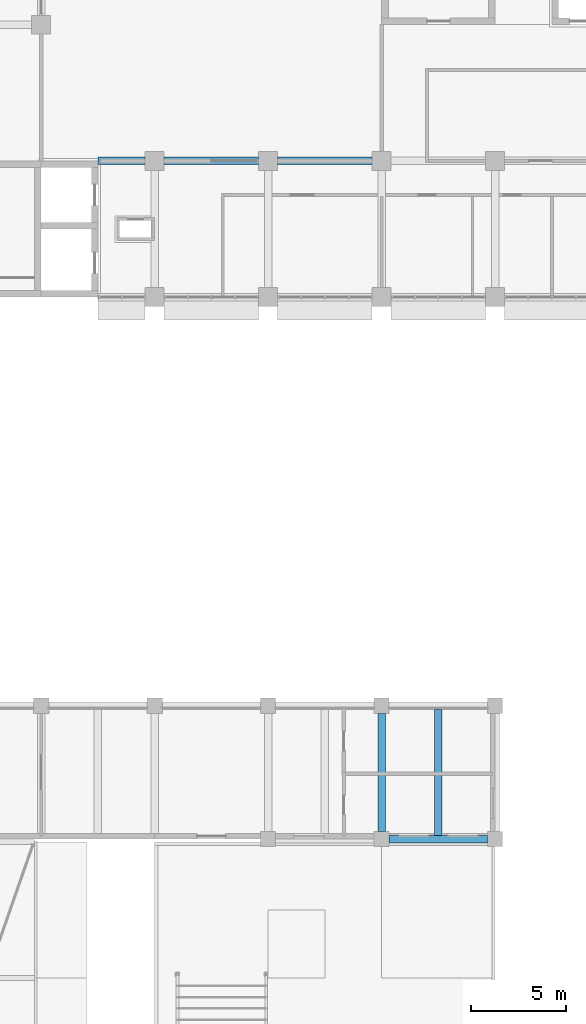
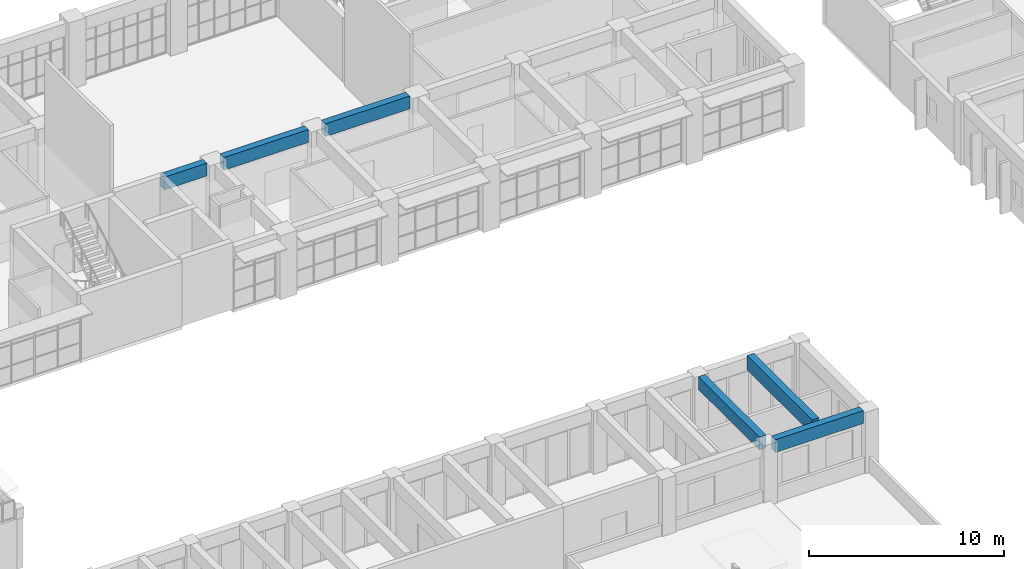
# One storey, part 33 of 92: 6 beams.
"""IFC4 building model written with IfcOpenShell, lengths in metres."""

from ifc_helpers import new_model, si_unit, direction, frame, origin, origin_2d, place, context, subcontext, project, spatial, rectangle, extrude, material, material_profile, profile_set, type_object, element, save


model = new_model("IFC4")

# Units and contexts
model_context = context("Model", 3, precision=1e-05, world=origin(), true_north=direction((0.0, 1.0)))
body_context = subcontext(model_context, "Body", "Model", "MODEL_VIEW")
ifc_project = project(units=[si_unit("LENGTHUNIT", "METRE"), si_unit("AREAUNIT", "SQUARE_METRE"), si_unit("VOLUMEUNIT", "CUBIC_METRE"), si_unit("PLANEANGLEUNIT", "RADIAN"), si_unit("MASSUNIT", "GRAM", prefix="KILO")], contexts=[model_context])

# Site, building, storey
site_placement = place(None, origin())
site = spatial("IfcSite", under=ifc_project, at=site_placement, CompositionType="ELEMENT")
building_placement = place(site_placement, origin())
building = spatial("IfcBuilding", under=site, at=building_placement, Name="Laocheng Heights Fire and Rescue Headquarters", CompositionType="ELEMENT")
storey_placement = place(building_placement, frame((0.0, 0.0, 12.60009765625)))
storey = spatial("IfcBuildingStorey", under=building, at=storey_placement, Name="L03", CompositionType="ELEMENT", Elevation=12.60009765625)

# Beams
ifc_material_1 = material(Name="Concrete C40", Category="concrete")
ifc_material_profile_1 = material_profile(ifc_material_1, rectangle(XDim=0.39990234375, YDim=0.800048828125, at=origin_2d()), Name="RC BEAM 400x800 GALLERY FLOOR")
ifc_profile_set_1 = profile_set([ifc_material_profile_1], Name="Concrete C40")
beam_type_1 = type_object("IfcBeamType", Name="RC BEAM 400x800 GALLERY FLOOR", PredefinedType="BEAM", material=ifc_profile_set_1)
beam_1_placement = place(storey_placement, frame((66.39990234375, 21.75, 3.5498046875), z_axis=(1.0, 0.0, 0.0), x_axis=(0.0, 1.0, 0.0)))
element("IfcBeam", 1, at=beam_1_placement, inside=storey, type_object=beam_type_1, Name="Gallery roof beam", PredefinedType="BEAM", context=body_context, shape_type="SweptSolid", body=[
    extrude(rectangle(XDim=0.39990234375, YDim=0.800048828125, at=origin_2d()), origin(), (0.0, 0.0, 1.0), 5.2001953125),
])
ifc_material_2 = material(Name="Concrete C40", Category="concrete")
ifc_material_profile_2 = material_profile(ifc_material_2, rectangle(XDim=0.39990234375, YDim=0.800048828125, at=origin_2d()), Name="RC BEAM 400x800 GALLERY ROOF")
ifc_profile_set_2 = profile_set([ifc_material_profile_2], Name="Concrete C40")
beam_type_2 = type_object("IfcBeamType", Name="RC BEAM 400x800 GALLERY ROOF", PredefinedType="BEAM", material=ifc_profile_set_2)
beam_2_placement = place(storey_placement, frame((66.0, 22.14990234375, 3.5498046875), z_axis=(0.0, 1.0, 0.0), x_axis=(-1.0, 0.0, 0.0)))
element("IfcBeam", 2, at=beam_2_placement, inside=storey, type_object=beam_type_2, Name="Gallery roof beam", PredefinedType="BEAM", context=body_context, shape_type="SweptSolid", body=[
    extrude(rectangle(XDim=0.39990234375, YDim=0.800048828125, at=origin_2d()), origin(), (0.0, 0.0, 1.0), 6.25),
])
ifc_material_3 = material(Name="Concrete C40", Category="concrete")
ifc_material_profile_3 = material_profile(ifc_material_3, rectangle(XDim=0.39990234375, YDim=0.800048828125, at=origin_2d()), Name="RC BEAM 400x800 HQ")
ifc_profile_set_3 = profile_set([ifc_material_profile_3], Name="Concrete C40")
beam_type_3 = type_object("IfcBeamType", Name="RC BEAM 400x800 HQ", PredefinedType="BEAM", material=ifc_profile_set_3)
beam_3_placement = place(storey_placement, frame((51.0, 57.60009765625, 3.599853515625), z_axis=(1.0, 0.0, 0.0), x_axis=(0.0, 1.0, 0.0)))
element("IfcBeam", 3, at=beam_3_placement, inside=storey, type_object=beam_type_3, Name="HQ beam L03", PredefinedType="BEAM", context=body_context, shape_type="SweptSolid", body=[
    extrude(rectangle(XDim=0.39990234375, YDim=0.800048828125, at=origin_2d()), origin(), (0.0, 0.0, 1.0), 2.5),
])
for number, where, z_axis, x_axis, name in (
    (4, (54.5, 57.60009765625, 3.599853515625), (1.0, 0.0, 0.0), (0.0, 1.0, 0.0), "HQ beam L03"),
    (5, (60.5, 57.60009765625, 3.599853515625), (1.0, 0.0, 0.0), (0.0, 1.0, 0.0), "HQ beam L03"),
):
    element("IfcBeam", number, at=place(storey_placement, frame(where, z_axis=z_axis, x_axis=x_axis)), inside=storey, type_object=beam_type_3, Name=name, PredefinedType="BEAM", context=body_context, shape_type="SweptSolid", body=[
        extrude(rectangle(XDim=0.39990234375, YDim=0.800048828125, at=origin_2d()), origin(), (0.0, 0.0, 1.0), 5.0),
    ])
ifc_material_4 = material(Name="Concrete C50", Category="concrete")
ifc_material_profile_4 = material_profile(ifc_material_4, rectangle(XDim=0.39990234375, YDim=0.89990234375, at=origin_2d()), Name="RC BEAM 400x900 TRANSFER SECONDARY")
ifc_profile_set_4 = profile_set([ifc_material_profile_4], Name="Concrete C50")
beam_type_4 = type_object("IfcBeamType", Name="RC BEAM 400x900 TRANSFER SECONDARY", PredefinedType="BEAM", material=ifc_profile_set_4)
beam_4_placement = place(storey_placement, frame((69.0, 21.949951171875, 3.64990234375), z_axis=(0.0, 1.0, 0.0), x_axis=(-1.0, 0.0, 0.0)))
element("IfcBeam", 6, at=beam_4_placement, inside=storey, type_object=beam_type_4, Name="Gallery secondary beam", PredefinedType="BEAM", context=body_context, shape_type="SweptSolid", body=[
    extrude(rectangle(XDim=0.39990234375, YDim=0.89990234375, at=origin_2d()), origin(), (0.0, 0.0, 1.0), 6.650146484375),
])

save(model, "model.ifc")
